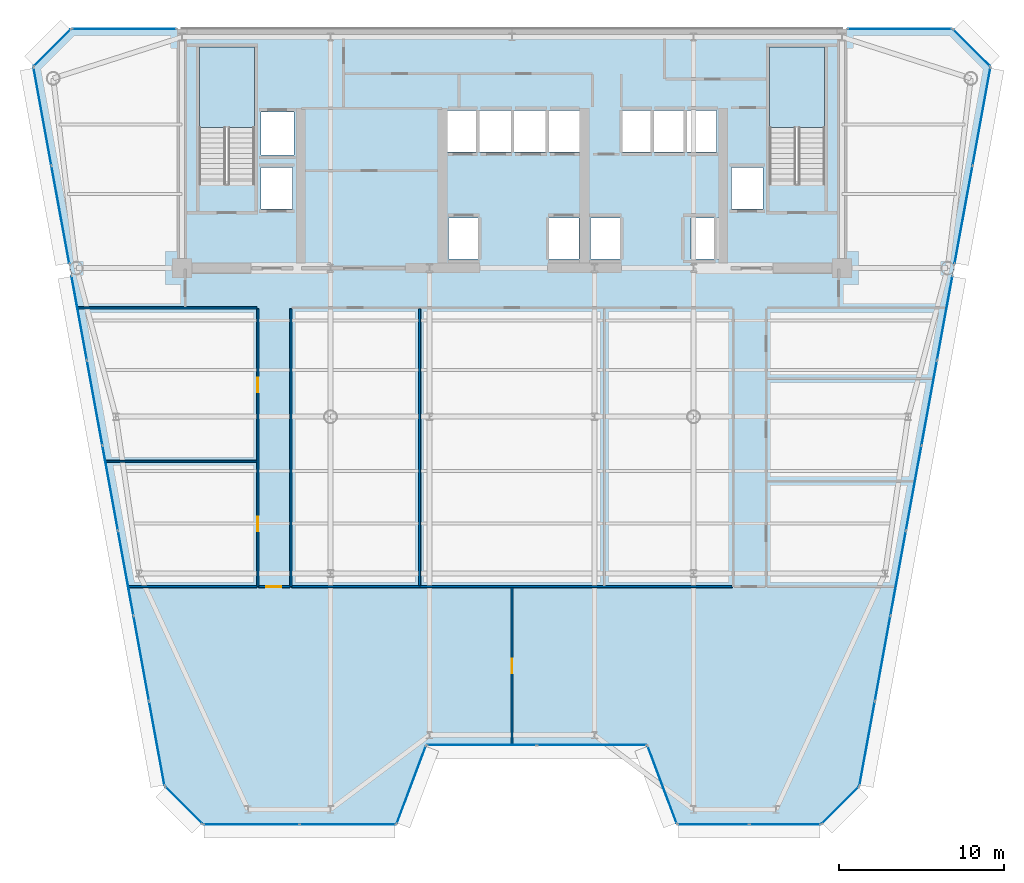
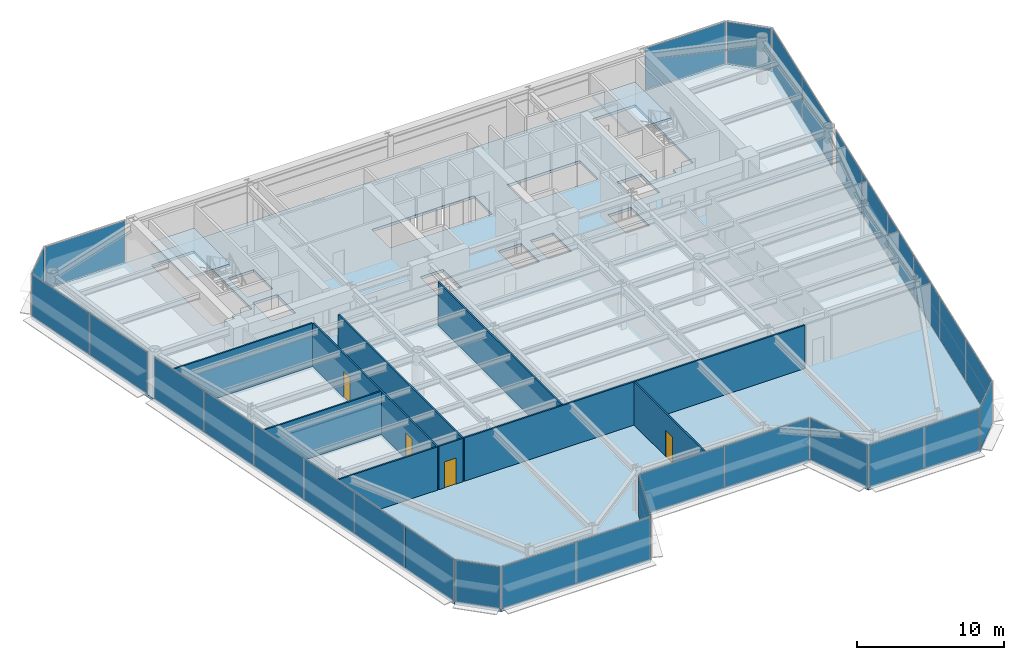
# One storey, part 10 of 17: 30 plates, 9 walls, 4 doors, 3 slabs, 4 openings, 17 elements without a shape of their own.
"""IFC4 building model written with IfcOpenShell, lengths in metres."""

from ifc_helpers import new_model, si_unit, direction, frame, frame_2d, origin, origin_2d, place, context, subcontext, project, spatial, polyline, rectangle, outline, extrude, source, transform, mapped, material, layer, layer_set, type_object, element, fill, aggregate, save


model = new_model("IFC4")

# Units and contexts
model_context = context("Model", 3, precision=1e-05, world=origin(), true_north=direction((0.0, 1.0)))
body_context = subcontext(model_context, "Body", "Model", "MODEL_VIEW")
ifc_project = project(units=[si_unit("LENGTHUNIT", "METRE"), si_unit("AREAUNIT", "SQUARE_METRE"), si_unit("VOLUMEUNIT", "CUBIC_METRE"), si_unit("PLANEANGLEUNIT", "RADIAN"), si_unit("MASSUNIT", "GRAM", prefix="KILO")], contexts=[model_context])

# Site, building, storey
site_placement = place(None, origin())
site = spatial("IfcSite", under=ifc_project, at=site_placement, CompositionType="ELEMENT")
building_placement = place(site_placement, origin())
building = spatial("IfcBuilding", under=site, at=building_placement, Name="Vaeldorn Concourse Tower", CompositionType="ELEMENT")
storey_placement = place(building_placement, frame((0.0, 0.0, 169.0)))
storey = spatial("IfcBuildingStorey", under=building, at=storey_placement, Name="L43", CompositionType="ELEMENT", Elevation=169.0)

# Stair, slab
ifc_material_1 = material(Name="Precast concrete C40/50", Category="concrete")
stair_type = type_object("IfcStairType", Name="STR-DOG-24x158", PredefinedType="HALF_TURN_STAIR", material=ifc_material_1)
stair_1_placement = place(storey_placement, origin())
stair_1 = element("IfcStair", 1, at=stair_1_placement, inside=storey, type_object=stair_type, Name="L43 West Core Exit Stair ST-1", PredefinedType="HALF_TURN_STAIR")
ifc_material_2 = material(Name="Concrete C40/50", Category="concrete")
ifc_layer_1 = layer(ifc_material_2, 0.199951171875)
ifc_layer_set_1 = layer_set([ifc_layer_1], Name="Concrete C40/50")
slab_type_1 = type_object("IfcSlabType", Name="SL-STAIR-LANDING", PredefinedType="LANDING", material=ifc_layer_set_1)
slab_1_placement = place(storey_placement, frame((0.0, 0.0, 1.699951171875)))
slab_1 = element("IfcSlab", 2, at=slab_1_placement, type_object=slab_type_1, Name="ST-1 landing 1", PredefinedType="LANDING", context=body_context, shape_type="SweptSolid", body=[
    extrude(outline(polyline([(18.39990234375, 45.010009765625), (18.39990234375, 49.89990234375), (15.050048828125, 49.89990234375), (15.050048828125, 45.010009765625), (18.39990234375, 45.010009765625)])), origin(), (0.0, 0.0, 1.0), 0.199951171875),
])
aggregate(stair_1, [slab_1])

stair_2_placement = place(storey_placement, origin())
stair_2 = element("IfcStair", 3, at=stair_2_placement, inside=storey, type_object=stair_type, Name="L43 East Core Exit Stair ST-2", PredefinedType="HALF_TURN_STAIR")
slab_2_placement = place(storey_placement, frame((0.0, 0.0, 1.699951171875)))
slab_2 = element("IfcSlab", 4, at=slab_2_placement, type_object=slab_type_1, Name="ST-2 landing 1", PredefinedType="LANDING", context=body_context, shape_type="SweptSolid", body=[
    extrude(outline(polyline([(52.949951171875, 45.010009765625), (52.949951171875, 49.89990234375), (49.60009765625, 49.89990234375), (49.60009765625, 45.010009765625), (52.949951171875, 45.010009765625)])), origin(), (0.0, 0.0, 1.0), 0.199951171875),
])
aggregate(stair_2, [slab_2])

# Slab
ifc_layer_2 = layer(ifc_material_2, 0.219970703125)
ifc_layer_set_2 = layer_set([ifc_layer_2], Name="Concrete C40/50")
slab_type_2 = type_object("IfcSlabType", Name="SL-TYP-220", PredefinedType="FLOOR", material=ifc_layer_set_2)
slab_3_placement = place(storey_placement, frame((0.0, 0.0, -0.219970703125)))
element("IfcSlab", 5, at=slab_3_placement, inside=storey, type_object=slab_type_2, Name="Structural Floor Slab L43", PredefinedType="FLOOR", context=body_context, shape_type="SweptSolid", body=[
    extrude(outline(polyline([(15.2529296875, 2.800048828125), (27.0, 2.800048828125), (28.800048828125, 7.60009765625), (42.199951171875, 7.60009765625), (44.0, 2.800048828125), (52.7470703125, 2.800048828125), (55.047119140625, 5.10009765625), (63.0, 48.699951171875), (60.699951171875, 51.0), (7.300048828125, 51.0), (5.0, 48.699951171875), (12.952880859375, 5.10009765625), (15.2529296875, 2.800048828125)]), holes=[polyline([(18.39990234375, 42.0), (18.39990234375, 49.89990234375), (15.050048828125, 49.89990234375), (15.050048828125, 41.60009765625), (16.800048828125, 41.60009765625), (16.800048828125, 42.0), (18.39990234375, 42.0)]), polyline([(52.949951171875, 42.0), (52.949951171875, 49.89990234375), (49.60009765625, 49.89990234375), (49.60009765625, 41.60009765625), (51.35009765625, 41.60009765625), (51.35009765625, 42.0), (52.949951171875, 42.0)]), polyline([(30.14990234375, 37.050048828125), (31.949951171875, 37.050048828125), (31.949951171875, 39.550048828125), (30.14990234375, 39.550048828125), (30.14990234375, 37.050048828125)]), polyline([(36.25, 37.050048828125), (38.050048828125, 37.050048828125), (38.050048828125, 39.550048828125), (36.25, 39.550048828125), (36.25, 37.050048828125)]), polyline([(30.10009765625, 43.550048828125), (38.10009765625, 43.550048828125), (38.10009765625, 46.050048828125), (30.10009765625, 46.050048828125), (30.10009765625, 43.550048828125)]), polyline([(38.75, 37.050048828125), (40.550048828125, 37.050048828125), (40.550048828125, 39.550048828125), (38.75, 39.550048828125), (38.75, 37.050048828125)]), polyline([(44.85009765625, 37.050048828125), (46.64990234375, 37.050048828125), (46.64990234375, 39.550048828125), (44.85009765625, 39.550048828125), (44.85009765625, 37.050048828125)]), polyline([(40.699951171875, 43.550048828125), (46.39990234375, 43.550048828125), (46.39990234375, 46.050048828125), (40.699951171875, 46.050048828125), (40.699951171875, 43.550048828125)]), polyline([(18.800048828125, 43.35009765625), (20.800048828125, 43.35009765625), (20.800048828125, 45.949951171875), (18.800048828125, 45.949951171875), (18.800048828125, 43.35009765625)]), polyline([(18.800048828125, 40.10009765625), (20.699951171875, 40.10009765625), (20.699951171875, 42.60009765625), (18.800048828125, 42.60009765625), (18.800048828125, 40.10009765625)]), polyline([(47.300048828125, 40.10009765625), (49.199951171875, 40.10009765625), (49.199951171875, 42.60009765625), (47.300048828125, 42.60009765625), (47.300048828125, 40.10009765625)])]), origin(), (0.0, 0.0, 1.0), 0.219970703125),
])

# Curtain wall, plate
ifc_material_3 = material(Name="Anodised Bronze Aluminium", Category="aluminium")
ifc_layer_3 = layer(ifc_material_3, 0.18994140625)
ifc_layer_set_3 = layer_set([ifc_layer_3], Name="Anodised Bronze Aluminium")
curtain_wall_type = type_object("IfcCurtainWallType", Name="CW-SYS-03", PredefinedType="NOTDEFINED", material=ifc_layer_set_3)
curtain_wall_1_placement = place(storey_placement, origin())
curtain_wall_1 = element("IfcCurtainWall", 6, at=curtain_wall_1_placement, inside=storey, type_object=curtain_wall_type, Name="Unitised Curtain Wall CW-L43-E02-1", PredefinedType="NOTDEFINED")
ifc_material_4 = material(Name="Bronze Tinted Low-E Insulated Glass", Category="glass")
ifc_layer_4 = layer(ifc_material_4, 0.031982421875)
ifc_layer_set_4 = layer_set([ifc_layer_4], Name="Bronze Tinted Low-E Insulated Glass")
plate_type = type_object("IfcPlateType", Name="CWP-VISION-32", PredefinedType="CURTAIN_PANEL", material=ifc_layer_set_4)
shared_shape_1 = source(origin(), body_context, "Body", "SweptSolid", [
    extrude(rectangle(XDim=4.996337890625, YDim=0.031982421875, at=origin_2d()), origin(), (0.0, 0.0, 1.0), 3.449951171875),
])
plate_1_placement = place(storey_placement, frame((27.89990234375, 5.199951171875, 0.06494140625), z_axis=(0.0, 0.0, 1.0), x_axis=(0.351123441595, 0.936329177566, 0.0)))
plate_1 = element("IfcPlate", 7, at=plate_1_placement, type_object=plate_type, Name="CW-03 panel 1.1", PredefinedType="CURTAIN_PANEL", context=body_context, shape_type="MappedRepresentation", body=[
    mapped(shared_shape_1, transform((0.0, 0.0, 0.0), scale=1.0)),
])
aggregate(curtain_wall_1, [plate_1])

curtain_wall_2_placement = place(storey_placement, origin())
curtain_wall_2 = element("IfcCurtainWall", 8, at=curtain_wall_2_placement, inside=storey, type_object=curtain_wall_type, Name="Unitised Curtain Wall CW-L43-E04-1", PredefinedType="NOTDEFINED")
plate_2_placement = place(storey_placement, frame((43.10009765625, 5.199951171875, 0.06494140625), z_axis=(0.0, 0.0, 1.0), x_axis=(0.351123441595, -0.936329177566, 0.0)))
plate_2 = element("IfcPlate", 9, at=plate_2_placement, type_object=plate_type, Name="CW-03 panel 1.1", PredefinedType="CURTAIN_PANEL", context=body_context, shape_type="MappedRepresentation", body=[
    mapped(shared_shape_1, transform((0.0, 0.0, 0.0), scale=1.0)),
])
aggregate(curtain_wall_2, [plate_2])

# Curtain wall, plates
curtain_wall_3_placement = place(storey_placement, origin())
curtain_wall_3 = element("IfcCurtainWall", 10, at=curtain_wall_3_placement, inside=storey, type_object=curtain_wall_type, Name="Unitised Curtain Wall CW-L43-E03-1", PredefinedType="NOTDEFINED")
shared_shape_2 = source(origin(), body_context, "Body", "SweptSolid", [
    extrude(rectangle(XDim=6.6025390625, YDim=0.031982421875, at=origin_2d()), origin(), (0.0, 0.0, 1.0), 3.449951171875),
])
plate_3_placement = place(storey_placement, frame((32.166259765625, 7.60009765625, 0.06494140625), z_axis=(0.0, 0.0, 1.0), x_axis=(1.0, 0.0, 0.0)))
plate_3 = element("IfcPlate", 11, at=plate_3_placement, type_object=plate_type, Name="CW-03 panel 1.1", PredefinedType="CURTAIN_PANEL", context=body_context, shape_type="MappedRepresentation", body=[
    mapped(shared_shape_2, transform((0.0, 0.0, 0.0), scale=1.0)),
])
plate_4_placement = place(storey_placement, frame((38.833740234375, 7.60009765625, 0.06494140625), z_axis=(0.0, 0.0, 1.0), x_axis=(1.0, 0.0, 0.0)))
plate_4 = element("IfcPlate", 12, at=plate_4_placement, type_object=plate_type, Name="CW-03 panel 2.1", PredefinedType="CURTAIN_PANEL", context=body_context, shape_type="MappedRepresentation", body=[
    mapped(shared_shape_2, transform((0.0, 0.0, 0.0), scale=1.0)),
])
aggregate(curtain_wall_3, [plate_3, plate_4])

# Curtain wall, plate
curtain_wall_4_placement = place(storey_placement, origin())
curtain_wall_4 = element("IfcCurtainWall", 13, at=curtain_wall_4_placement, inside=storey, type_object=curtain_wall_type, Name="Unitised Curtain Wall CW-L43-E06-1", PredefinedType="NOTDEFINED")
shared_shape_3 = source(origin(), body_context, "Body", "SweptSolid", [
    extrude(rectangle(XDim=3.122802734375, YDim=0.031982421875, at=origin_2d()), origin(), (0.0, 0.0, 1.0), 3.449951171875),
])
plate_5_placement = place(storey_placement, frame((53.89697265625, 3.949951171875, 0.06494140625), z_axis=(0.0, 0.0, 1.0), x_axis=(0.707106781187, 0.707106781187, 0.0)))
plate_5 = element("IfcPlate", 14, at=plate_5_placement, type_object=plate_type, Name="CW-03 panel 1.1", PredefinedType="CURTAIN_PANEL", context=body_context, shape_type="MappedRepresentation", body=[
    mapped(shared_shape_3, transform((0.0, 0.0, 0.0), scale=1.0)),
])
aggregate(curtain_wall_4, [plate_5])

curtain_wall_5_placement = place(storey_placement, origin())
curtain_wall_5 = element("IfcCurtainWall", 15, at=curtain_wall_5_placement, inside=storey, type_object=curtain_wall_type, Name="Unitised Curtain Wall CW-L43-E08-1", PredefinedType="NOTDEFINED")
plate_6_placement = place(storey_placement, frame((61.85009765625, 49.85009765625, 0.06494140625), z_axis=(0.0, 0.0, 1.0), x_axis=(-0.707106781187, 0.707106781187, 0.0)))
plate_6 = element("IfcPlate", 16, at=plate_6_placement, type_object=plate_type, Name="CW-03 panel 1.1", PredefinedType="CURTAIN_PANEL", context=body_context, shape_type="MappedRepresentation", body=[
    mapped(shared_shape_3, transform((0.0, 0.0, 0.0), scale=1.0)),
])
aggregate(curtain_wall_5, [plate_6])

curtain_wall_6_placement = place(storey_placement, origin())
curtain_wall_6 = element("IfcCurtainWall", 17, at=curtain_wall_6_placement, inside=storey, type_object=curtain_wall_type, Name="Unitised Curtain Wall CW-L43-E10-1", PredefinedType="NOTDEFINED")
plate_7_placement = place(storey_placement, frame((6.14990234375, 49.85009765625, 0.06494140625), z_axis=(0.0, 0.0, 1.0), x_axis=(-0.707106781187, -0.707106781187, 0.0)))
plate_7 = element("IfcPlate", 18, at=plate_7_placement, type_object=plate_type, Name="CW-03 panel 1.1", PredefinedType="CURTAIN_PANEL", context=body_context, shape_type="MappedRepresentation", body=[
    mapped(shared_shape_3, transform((0.0, 0.0, 0.0), scale=1.0)),
])
aggregate(curtain_wall_6, [plate_7])

curtain_wall_7_placement = place(storey_placement, origin())
curtain_wall_7 = element("IfcCurtainWall", 19, at=curtain_wall_7_placement, inside=storey, type_object=curtain_wall_type, Name="Unitised Curtain Wall CW-L43-E12-1", PredefinedType="NOTDEFINED")
plate_8_placement = place(storey_placement, frame((14.10302734375, 3.949951171875, 0.06494140625), z_axis=(0.0, 0.0, 1.0), x_axis=(0.707106781187, -0.707106781187, 0.0)))
plate_8 = element("IfcPlate", 20, at=plate_8_placement, type_object=plate_type, Name="CW-03 panel 1.1", PredefinedType="CURTAIN_PANEL", context=body_context, shape_type="MappedRepresentation", body=[
    mapped(shared_shape_3, transform((0.0, 0.0, 0.0), scale=1.0)),
])
aggregate(curtain_wall_7, [plate_8])

# Curtain wall, plates
curtain_wall_8_placement = place(storey_placement, origin())
curtain_wall_8 = element("IfcCurtainWall", 21, at=curtain_wall_8_placement, inside=storey, type_object=curtain_wall_type, Name="Unitised Curtain Wall CW-L43-E01-1", PredefinedType="NOTDEFINED")
shared_shape_4 = source(origin(), body_context, "Body", "SweptSolid", [
    extrude(rectangle(XDim=5.77587890625, YDim=0.031982421875, at=origin_2d()), origin(), (0.0, 0.0, 1.0), 3.449951171875),
])
plate_9_placement = place(storey_placement, frame((18.2060546875, 2.800048828125, 0.06494140625), z_axis=(0.0, 0.0, 1.0), x_axis=(1.0, 0.0, 0.0)))
plate_9 = element("IfcPlate", 22, at=plate_9_placement, type_object=plate_type, Name="CW-03 panel 1.1", PredefinedType="CURTAIN_PANEL", context=body_context, shape_type="MappedRepresentation", body=[
    mapped(shared_shape_4, transform((0.0, 0.0, 0.0), scale=1.0)),
])
plate_10_placement = place(storey_placement, frame((24.047119140625, 2.800048828125, 0.06494140625), z_axis=(0.0, 0.0, 1.0), x_axis=(1.0, 0.0, 0.0)))
plate_10 = element("IfcPlate", 23, at=plate_10_placement, type_object=plate_type, Name="CW-03 panel 2.1", PredefinedType="CURTAIN_PANEL", context=body_context, shape_type="MappedRepresentation", body=[
    mapped(shared_shape_4, transform((0.0, 0.0, 0.0), scale=1.0)),
])
aggregate(curtain_wall_8, [plate_9, plate_10])

curtain_wall_9_placement = place(storey_placement, origin())
curtain_wall_9 = element("IfcCurtainWall", 24, at=curtain_wall_9_placement, inside=storey, type_object=curtain_wall_type, Name="Unitised Curtain Wall CW-L43-E05-1", PredefinedType="NOTDEFINED")
shared_shape_5 = source(origin(), body_context, "Body", "SweptSolid", [
    extrude(rectangle(XDim=4.27587890625, YDim=0.031982421875, at=origin_2d()), origin(), (0.0, 0.0, 1.0), 3.449951171875),
])
plate_11_placement = place(storey_placement, frame((46.202880859375, 2.800048828125, 0.06494140625), z_axis=(0.0, 0.0, 1.0), x_axis=(1.0, 0.0, 0.0)))
plate_11 = element("IfcPlate", 25, at=plate_11_placement, type_object=plate_type, Name="CW-03 panel 1.1", PredefinedType="CURTAIN_PANEL", context=body_context, shape_type="MappedRepresentation", body=[
    mapped(shared_shape_5, transform((0.0, 0.0, 0.0), scale=1.0)),
])
plate_12_placement = place(storey_placement, frame((50.5439453125, 2.800048828125, 0.06494140625), z_axis=(0.0, 0.0, 1.0), x_axis=(1.0, 0.0, 0.0)))
plate_12 = element("IfcPlate", 26, at=plate_12_placement, type_object=plate_type, Name="CW-03 panel 2.1", PredefinedType="CURTAIN_PANEL", context=body_context, shape_type="MappedRepresentation", body=[
    mapped(shared_shape_5, transform((0.0, 0.0, 0.0), scale=1.0)),
])
aggregate(curtain_wall_9, [plate_11, plate_12])

curtain_wall_10_placement = place(storey_placement, origin())
curtain_wall_10 = element("IfcCurtainWall", 27, at=curtain_wall_10_placement, inside=storey, type_object=curtain_wall_type, Name="Unitised Curtain Wall CW-L43-E07-1", PredefinedType="NOTDEFINED")
shared_shape_6 = source(origin(), body_context, "Body", "SweptSolid", [
    extrude(rectangle(XDim=5.151611328125, YDim=0.031982421875, at=origin_2d()), origin(), (0.0, 0.0, 1.0), 3.449951171875),
])
plate_13_placement = place(storey_placement, frame((55.52099609375, 7.697998046875, 0.06494140625), z_axis=(0.0, 0.0, 1.0), x_axis=(0.179445909331, 0.983767841325, 0.0)))
plate_13 = element("IfcPlate", 28, at=plate_13_placement, type_object=plate_type, Name="CW-03 panel 1.1", PredefinedType="CURTAIN_PANEL", context=body_context, shape_type="MappedRepresentation", body=[
    mapped(shared_shape_6, transform((0.0, 0.0, 0.0), scale=1.0)),
])
plate_14_placement = place(storey_placement, frame((60.224609375, 33.485595703125, 0.06494140625), z_axis=(0.0, 0.0, 1.0), x_axis=(0.179445909331, 0.983767841325, 0.0)))
plate_14 = element("IfcPlate", 29, at=plate_14_placement, type_object=plate_type, Name="CW-03 panel 6.1", PredefinedType="CURTAIN_PANEL", context=body_context, shape_type="MappedRepresentation", body=[
    mapped(shared_shape_6, transform((0.0, 0.0, 0.0), scale=1.0)),
])

curtain_wall_11_placement = place(storey_placement, origin())
curtain_wall_11 = element("IfcCurtainWall", 30, at=curtain_wall_11_placement, inside=storey, type_object=curtain_wall_type, Name="Unitised Curtain Wall CW-L43-E11-2", PredefinedType="NOTDEFINED")
plate_15_placement = place(storey_placement, frame((7.775390625, 33.485595703125, 0.06494140625), z_axis=(0.0, 0.0, 1.0), x_axis=(0.179445909331, -0.983767841325, 0.0)))
plate_15 = element("IfcPlate", 31, at=plate_15_placement, type_object=plate_type, Name="CW-03 panel 1.1", PredefinedType="CURTAIN_PANEL", context=body_context, shape_type="MappedRepresentation", body=[
    mapped(shared_shape_6, transform((0.0, 0.0, 0.0), scale=1.0)),
])
plate_16_placement = place(storey_placement, frame((12.47900390625, 7.697998046875, 0.06494140625), z_axis=(0.0, 0.0, 1.0), x_axis=(0.179445909331, -0.983767841325, 0.0)))
plate_16 = element("IfcPlate", 32, at=plate_16_placement, type_object=plate_type, Name="CW-03 panel 6.1", PredefinedType="CURTAIN_PANEL", context=body_context, shape_type="MappedRepresentation", body=[
    mapped(shared_shape_6, transform((0.0, 0.0, 0.0), scale=1.0)),
])

# Plate
shared_shape_7 = source(origin(), body_context, "Body", "SweptSolid", [
    extrude(rectangle(XDim=5.18408203125, YDim=0.031982421875, at=origin_2d()), origin(), (0.0, 0.0, 1.0), 3.449951171875),
])
plate_17_placement = place(storey_placement, frame((56.4599609375, 12.845947265625, 0.06494140625), z_axis=(0.0, 0.0, 1.0), x_axis=(0.179445909331, 0.983767841325, 0.0)))
plate_17 = element("IfcPlate", 33, at=plate_17_placement, type_object=plate_type, Name="CW-03 panel 2.1", PredefinedType="CURTAIN_PANEL", context=body_context, shape_type="MappedRepresentation", body=[
    mapped(shared_shape_7, transform((0.0, 0.0, 0.0), scale=1.0)),
])

plate_18_placement = place(storey_placement, frame((57.40185546875, 18.009765625, 0.06494140625), z_axis=(0.0, 0.0, 1.0), x_axis=(0.179445909331, 0.983767841325, 0.0)))
plate_18 = element("IfcPlate", 34, at=plate_18_placement, type_object=plate_type, Name="CW-03 panel 3.1", PredefinedType="CURTAIN_PANEL", context=body_context, shape_type="MappedRepresentation", body=[
    mapped(shared_shape_7, transform((0.0, 0.0, 0.0), scale=1.0)),
])

plate_19_placement = place(storey_placement, frame((58.34375, 23.173828125, 0.06494140625), z_axis=(0.0, 0.0, 1.0), x_axis=(0.179445909331, 0.983767841325, 0.0)))
plate_19 = element("IfcPlate", 35, at=plate_19_placement, type_object=plate_type, Name="CW-03 panel 4.1", PredefinedType="CURTAIN_PANEL", context=body_context, shape_type="MappedRepresentation", body=[
    mapped(shared_shape_7, transform((0.0, 0.0, 0.0), scale=1.0)),
])

plate_20_placement = place(storey_placement, frame((59.28564453125, 28.337646484375, 0.06494140625), z_axis=(0.0, 0.0, 1.0), x_axis=(0.179445909331, 0.983767841325, 0.0)))
plate_20 = element("IfcPlate", 36, at=plate_20_placement, type_object=plate_type, Name="CW-03 panel 5.1", PredefinedType="CURTAIN_PANEL", context=body_context, shape_type="MappedRepresentation", body=[
    mapped(shared_shape_7, transform((0.0, 0.0, 0.0), scale=1.0)),
])

aggregate(curtain_wall_10, [plate_13, plate_17, plate_18, plate_19, plate_20, plate_14])

plate_21_placement = place(storey_placement, frame((8.71435546875, 28.337646484375, 0.06494140625), z_axis=(0.0, 0.0, 1.0), x_axis=(0.179445909331, -0.983767841325, 0.0)))
plate_21 = element("IfcPlate", 37, at=plate_21_placement, type_object=plate_type, Name="CW-03 panel 2.1", PredefinedType="CURTAIN_PANEL", context=body_context, shape_type="MappedRepresentation", body=[
    mapped(shared_shape_7, transform((0.0, 0.0, 0.0), scale=1.0)),
])

plate_22_placement = place(storey_placement, frame((9.65625, 23.173828125, 0.06494140625), z_axis=(0.0, 0.0, 1.0), x_axis=(0.179445909331, -0.983767841325, 0.0)))
plate_22 = element("IfcPlate", 38, at=plate_22_placement, type_object=plate_type, Name="CW-03 panel 3.1", PredefinedType="CURTAIN_PANEL", context=body_context, shape_type="MappedRepresentation", body=[
    mapped(shared_shape_7, transform((0.0, 0.0, 0.0), scale=1.0)),
])

plate_23_placement = place(storey_placement, frame((10.59814453125, 18.009765625, 0.06494140625), z_axis=(0.0, 0.0, 1.0), x_axis=(0.179445909331, -0.983767841325, 0.0)))
plate_23 = element("IfcPlate", 39, at=plate_23_placement, type_object=plate_type, Name="CW-03 panel 4.1", PredefinedType="CURTAIN_PANEL", context=body_context, shape_type="MappedRepresentation", body=[
    mapped(shared_shape_7, transform((0.0, 0.0, 0.0), scale=1.0)),
])

plate_24_placement = place(storey_placement, frame((11.5400390625, 12.845947265625, 0.06494140625), z_axis=(0.0, 0.0, 1.0), x_axis=(0.179445909331, -0.983767841325, 0.0)))
plate_24 = element("IfcPlate", 40, at=plate_24_placement, type_object=plate_type, Name="CW-03 panel 5.1", PredefinedType="CURTAIN_PANEL", context=body_context, shape_type="MappedRepresentation", body=[
    mapped(shared_shape_7, transform((0.0, 0.0, 0.0), scale=1.0)),
])

aggregate(curtain_wall_11, [plate_15, plate_21, plate_22, plate_23, plate_24, plate_16])

# Curtain wall, plates
curtain_wall_12_placement = place(storey_placement, origin())
curtain_wall_12 = element("IfcCurtainWall", 41, at=curtain_wall_12_placement, inside=storey, type_object=curtain_wall_type, Name="Unitised Curtain Wall CW-L43-E07-2", PredefinedType="NOTDEFINED")
shared_shape_8 = source(origin(), body_context, "Body", "SweptSolid", [
    extrude(rectangle(XDim=5.986572265625, YDim=0.031982421875, at=origin_2d()), origin(), (0.0, 0.0, 1.0), 3.449951171875),
])
plate_25_placement = place(storey_placement, frame((61.365234375, 39.73828125, 0.06494140625), z_axis=(0.0, 0.0, 1.0), x_axis=(0.179447345892, 0.983767579285, 0.0)))
plate_25 = element("IfcPlate", 42, at=plate_25_placement, type_object=plate_type, Name="CW-03 panel 1.1", PredefinedType="CURTAIN_PANEL", context=body_context, shape_type="MappedRepresentation", body=[
    mapped(shared_shape_8, transform((0.0, 0.0, 0.0), scale=1.0)),
])
plate_26_placement = place(storey_placement, frame((62.451171875, 45.69140625, 0.06494140625), z_axis=(0.0, 0.0, 1.0), x_axis=(0.179447345892, 0.983767579285, 0.0)))
plate_26 = element("IfcPlate", 43, at=plate_26_placement, type_object=plate_type, Name="CW-03 panel 2.1", PredefinedType="CURTAIN_PANEL", context=body_context, shape_type="MappedRepresentation", body=[
    mapped(shared_shape_8, transform((0.0, 0.0, 0.0), scale=1.0)),
])
aggregate(curtain_wall_12, [plate_25, plate_26])

curtain_wall_13_placement = place(storey_placement, origin())
curtain_wall_13 = element("IfcCurtainWall", 44, at=curtain_wall_13_placement, inside=storey, type_object=curtain_wall_type, Name="Unitised Curtain Wall CW-L43-E11-1", PredefinedType="NOTDEFINED")
plate_27_placement = place(storey_placement, frame((5.548828125, 45.69140625, 0.06494140625), z_axis=(0.0, 0.0, 1.0), x_axis=(0.179447345892, -0.983767579285, 0.0)))
plate_27 = element("IfcPlate", 45, at=plate_27_placement, type_object=plate_type, Name="CW-03 panel 1.1", PredefinedType="CURTAIN_PANEL", context=body_context, shape_type="MappedRepresentation", body=[
    mapped(shared_shape_8, transform((0.0, 0.0, 0.0), scale=1.0)),
])
plate_28_placement = place(storey_placement, frame((6.634765625, 39.73828125, 0.06494140625), z_axis=(0.0, 0.0, 1.0), x_axis=(0.179447345892, -0.983767579285, 0.0)))
plate_28 = element("IfcPlate", 46, at=plate_28_placement, type_object=plate_type, Name="CW-03 panel 2.1", PredefinedType="CURTAIN_PANEL", context=body_context, shape_type="MappedRepresentation", body=[
    mapped(shared_shape_8, transform((0.0, 0.0, 0.0), scale=1.0)),
])
aggregate(curtain_wall_13, [plate_27, plate_28])

# Curtain wall, plate
curtain_wall_14_placement = place(storey_placement, origin())
curtain_wall_14 = element("IfcCurtainWall", 47, at=curtain_wall_14_placement, inside=storey, type_object=curtain_wall_type, Name="Unitised Curtain Wall CW-L43-E09-1", PredefinedType="NOTDEFINED")
shared_shape_9 = source(origin(), body_context, "Body", "SweptSolid", [
    extrude(rectangle(XDim=6.27490234375, YDim=0.031982421875, at=origin_2d()), origin(), (0.0, 0.0, 1.0), 3.449951171875),
])
plate_29_placement = place(storey_placement, frame((57.49755859375, 51.0, 0.06494140625), z_axis=(0.0, 0.0, 1.0), x_axis=(-1.0, 0.0, 0.0)))
plate_29 = element("IfcPlate", 48, at=plate_29_placement, type_object=plate_type, Name="CW-03 panel 1.1", PredefinedType="CURTAIN_PANEL", context=body_context, shape_type="MappedRepresentation", body=[
    mapped(shared_shape_9, transform((0.0, 0.0, 0.0), scale=1.0)),
])
aggregate(curtain_wall_14, [plate_29])

curtain_wall_15_placement = place(storey_placement, origin())
curtain_wall_15 = element("IfcCurtainWall", 49, at=curtain_wall_15_placement, inside=storey, type_object=curtain_wall_type, Name="Unitised Curtain Wall CW-L43-E09-2", PredefinedType="NOTDEFINED")
plate_30_placement = place(storey_placement, frame((10.50244140625, 51.0, 0.06494140625), z_axis=(0.0, 0.0, 1.0), x_axis=(-1.0, 0.0, 0.0)))
plate_30 = element("IfcPlate", 50, at=plate_30_placement, type_object=plate_type, Name="CW-03 panel 1.1", PredefinedType="CURTAIN_PANEL", context=body_context, shape_type="MappedRepresentation", body=[
    mapped(shared_shape_9, transform((0.0, 0.0, 0.0), scale=1.0)),
])
aggregate(curtain_wall_15, [plate_30])

# Wall
ifc_material_5 = material(Name="Gypsum Board Partition", Category="gypsum")
ifc_layer_5 = layer(ifc_material_5, 0.1201171875)
ifc_layer_set_5 = layer_set([ifc_layer_5], Name="Gypsum Board Partition")
wall_type = type_object("IfcWallType", Name="WL-PART-120", PredefinedType="PARTITIONING", material=ifc_layer_set_5)
wall_1_placement = place(storey_placement, frame((7.703125, 34.10009765625, 0.0), z_axis=(0.0, 0.0, 1.0), x_axis=(1.0, 0.0, 0.0)))
element("IfcWall", 51, at=wall_1_placement, inside=storey, type_object=wall_type, Name="Interior Wall PW-L43-CEWW", PredefinedType="PARTITIONING", context=body_context, shape_type="SweptSolid", body=[
    extrude(rectangle(XDim=10.8369140625, YDim=0.1201171875, at=frame_2d((5.41845703125, 0.0))), origin(), (0.0, 0.0, 1.0), 3.580078125),
])

# Wall, openings, doors
wall_2_placement = place(storey_placement, frame((18.60009765625, 17.199951171875, 0.0), z_axis=(0.0, 0.0, 1.0), x_axis=(0.0, 1.0, 0.0)))
wall_2 = element("IfcWall", 52, at=wall_2_placement, inside=storey, type_object=wall_type, Name="Interior Wall PW-L43-CWW", PredefinedType="PARTITIONING", context=body_context, shape_type="SweptSolid", body=[
    extrude(rectangle(XDim=16.840087890625, YDim=0.1201171875, at=frame_2d((8.419921875, 0.0))), origin(), (0.0, 0.0, 1.0), 3.580078125),
])
opening_1_placement = place(wall_2_placement, frame((3.35009765625, 0.0, 0.0)))
opening_1 = element("IfcOpeningElement", 53, at=opening_1_placement, cuts=wall_2, Name="Opening D-03", PredefinedType="OPENING", context=body_context, shape_type="SweptSolid", body=[
    extrude(rectangle(XDim=0.89990234375, YDim=2.14990234375, at=frame_2d((0.449951171875, 1.074951171875))), frame((0.0, 0.070068359375, 0.0), z_axis=(0.0, -1.0, 0.0), x_axis=(1.0, 0.0, 0.0)), (0.0, 0.0, 1.0), 0.14013671875),
])
opening_2_placement = place(wall_2_placement, frame((11.77001953125, 0.0, 0.0)))
opening_2 = element("IfcOpeningElement", 54, at=opening_2_placement, cuts=wall_2, Name="Opening D-03", PredefinedType="OPENING", context=body_context, shape_type="SweptSolid", body=[
    extrude(rectangle(XDim=0.89990234375, YDim=2.14990234375, at=frame_2d((0.449951171875, 1.074951171875))), frame((0.0, 0.070068359375, 0.0), z_axis=(0.0, -1.0, 0.0), x_axis=(1.0, 0.0, 0.0)), (0.0, 0.0, 1.0), 0.14013671875),
])
ifc_material_6 = material(Name="Acoustic Bronze-Framed Glass Door", Category="glass")
door_type = type_object("IfcDoorType", Name="DR-INT-900", OperationType="NOTDEFINED", PredefinedType="DOOR", material=ifc_material_6)
shared_shape_10 = source(origin(), body_context, "Body", "SweptSolid", [
    extrude(rectangle(XDim=0.89990234375, YDim=2.14990234375, at=frame_2d((0.449951171875, 1.074951171875))), frame((0.0, 0.02490234375, 0.0), z_axis=(0.0, -1.0, 0.0), x_axis=(1.0, 0.0, 0.0)), (0.0, 0.0, 1.0), 0.050048828125),
])
door_1_placement = place(opening_1_placement, origin())
door_1 = element("IfcDoor", 55, at=door_1_placement, inside=storey, type_object=door_type, Name="Interior Door DR-L43-W1", OperationType="SINGLE_SWING_LEFT", OverallHeight=2.14990234375, OverallWidth=0.89990234375, PredefinedType="DOOR", context=body_context, shape_type="MappedRepresentation", body=[
    mapped(shared_shape_10, transform((0.0, 0.0, 0.0), scale=1.0)),
])
fill(opening_1, door_1)
door_2_placement = place(opening_2_placement, origin())
door_2 = element("IfcDoor", 56, at=door_2_placement, inside=storey, type_object=door_type, Name="Interior Door DR-L43-W2", OperationType="SINGLE_SWING_RIGHT", OverallHeight=2.14990234375, OverallWidth=0.89990234375, PredefinedType="DOOR", context=body_context, shape_type="MappedRepresentation", body=[
    mapped(shared_shape_10, transform((0.0, 0.0, 0.0), scale=1.0)),
])
fill(opening_2, door_2)

# Wall
wall_3_placement = place(storey_placement, frame((20.60009765625, 17.199951171875, 0.0), z_axis=(0.0, 0.0, 1.0), x_axis=(0.0, 1.0, 0.0)))
element("IfcWall", 57, at=wall_3_placement, inside=storey, type_object=wall_type, Name="Interior Wall PW-L43-CWE", PredefinedType="PARTITIONING", context=body_context, shape_type="SweptSolid", body=[
    extrude(rectangle(XDim=16.840087890625, YDim=0.1201171875, at=frame_2d((8.419921875, 0.0))), origin(), (0.0, 0.0, 1.0), 3.580078125),
])

# Wall, opening, door
wall_4_placement = place(storey_placement, frame((18.659912109375, 17.199951171875, 0.0), z_axis=(0.0, 0.0, 1.0), x_axis=(1.0, 0.0, 0.0)))
wall_4 = element("IfcWall", 58, at=wall_4_placement, inside=storey, type_object=wall_type, Name="Interior Wall PW-L43-CWS", PredefinedType="PARTITIONING", context=body_context, shape_type="SweptSolid", body=[
    extrude(rectangle(XDim=1.880126953125, YDim=0.1201171875, at=frame_2d((0.93994140625, 0.0))), origin(), (0.0, 0.0, 1.0), 3.580078125),
])
opening_3_placement = place(wall_4_placement, frame((0.449951171875, 0.0, 0.0)))
opening_3 = element("IfcOpeningElement", 59, at=opening_3_placement, cuts=wall_4, Name="Opening D-03", PredefinedType="OPENING", context=body_context, shape_type="SweptSolid", body=[
    extrude(rectangle(XDim=0.89990234375, YDim=2.14990234375, at=frame_2d((0.449951171875, 1.074951171875))), frame((0.0, 0.070068359375, 0.0), z_axis=(0.0, -1.0, 0.0), x_axis=(1.0, 0.0, 0.0)), (0.0, 0.0, 1.0), 0.14013671875),
])
door_3_placement = place(opening_3_placement, origin())
door_3 = element("IfcDoor", 60, at=door_3_placement, inside=storey, type_object=door_type, Name="Interior Door DR-L43-SWL", OperationType="SINGLE_SWING_LEFT", OverallHeight=2.14990234375, OverallWidth=0.89990234375, PredefinedType="DOOR", context=body_context, shape_type="MappedRepresentation", body=[
    mapped(shared_shape_10, transform((0.0, 0.0, 0.0), scale=1.0)),
])
fill(opening_3, door_3)

# Walls
wall_5_placement = place(storey_placement, frame((10.785888671875, 17.199951171875, 0.0), z_axis=(0.0, 0.0, 1.0), x_axis=(1.0, 0.0, 0.0)))
element("IfcWall", 61, at=wall_5_placement, inside=storey, type_object=wall_type, Name="Interior Wall PW-L43-WY0", PredefinedType="PARTITIONING", context=body_context, shape_type="SweptSolid", body=[
    extrude(rectangle(XDim=7.754150390625, YDim=0.1201171875, at=frame_2d((3.876953125, 0.0))), origin(), (0.0, 0.0, 1.0), 3.580078125),
])
wall_6_placement = place(storey_placement, frame((9.399658203125, 24.800048828125, 0.0), z_axis=(0.0, 0.0, 1.0), x_axis=(1.0, 0.0, 0.0)))
element("IfcWall", 62, at=wall_6_placement, inside=storey, type_object=wall_type, Name="Interior Wall PW-L43-WY1", PredefinedType="PARTITIONING", context=body_context, shape_type="SweptSolid", body=[
    extrude(rectangle(XDim=9.140380859375, YDim=0.1201171875, at=frame_2d((4.5703125, 0.0))), origin(), (0.0, 0.0, 1.0), 3.580078125),
])
wall_7_placement = place(storey_placement, frame((20.659912109375, 17.199951171875, 0.0), z_axis=(0.0, 0.0, 1.0), x_axis=(1.0, 0.0, 0.0)))
element("IfcWall", 63, at=wall_7_placement, inside=storey, type_object=wall_type, Name="Interior Wall PW-L43-HUBS", PredefinedType="PARTITIONING", context=body_context, shape_type="SweptSolid", body=[
    extrude(rectangle(XDim=26.68017578125, YDim=0.1201171875, at=frame_2d((13.340087890625, 0.0))), origin(), (0.0, 0.0, 1.0), 3.580078125),
])
wall_8_placement = place(storey_placement, frame((28.39990234375, 17.260009765625, 0.0), z_axis=(0.0, 0.0, 1.0), x_axis=(0.0, 1.0, 0.0)))
element("IfcWall", 64, at=wall_8_placement, inside=storey, type_object=wall_type, Name="Interior Wall PW-L43-HX1", PredefinedType="PARTITIONING", context=body_context, shape_type="SweptSolid", body=[
    extrude(rectangle(XDim=16.780029296875, YDim=0.1201171875, at=frame_2d((8.39013671875, 0.0))), origin(), (0.0, 0.0, 1.0), 3.580078125),
])

# Wall, opening, door
wall_9_placement = place(storey_placement, frame((34.0, 7.639892578125, 0.0), z_axis=(0.0, 0.0, 1.0), x_axis=(0.0, 1.0, 0.0)))
wall_9 = element("IfcWall", 65, at=wall_9_placement, inside=storey, type_object=wall_type, Name="Interior Wall PW-L43-SMID1", PredefinedType="PARTITIONING", context=body_context, shape_type="SweptSolid", body=[
    extrude(rectangle(XDim=9.5, YDim=0.1201171875, at=frame_2d((4.75, 0.0))), origin(), (0.0, 0.0, 1.0), 3.580078125),
])
opening_4_placement = place(wall_9_placement, frame((4.300048828125, 0.0, 0.0)))
opening_4 = element("IfcOpeningElement", 66, at=opening_4_placement, cuts=wall_9, Name="Opening D-03", PredefinedType="OPENING", context=body_context, shape_type="SweptSolid", body=[
    extrude(rectangle(XDim=0.89990234375, YDim=2.14990234375, at=frame_2d((0.449951171875, 1.074951171875))), frame((0.0, 0.070068359375, 0.0), z_axis=(0.0, -1.0, 0.0), x_axis=(1.0, 0.0, 0.0)), (0.0, 0.0, 1.0), 0.14013671875),
])
door_4_placement = place(opening_4_placement, origin())
door_4 = element("IfcDoor", 67, at=door_4_placement, inside=storey, type_object=door_type, Name="Interior Door DR-L43-SMID1", OperationType="SINGLE_SWING_RIGHT", OverallHeight=2.14990234375, OverallWidth=0.89990234375, PredefinedType="DOOR", context=body_context, shape_type="MappedRepresentation", body=[
    mapped(shared_shape_10, transform((0.0, 0.0, 0.0), scale=1.0)),
])
fill(opening_4, door_4)

save(model, "model.ifc")
